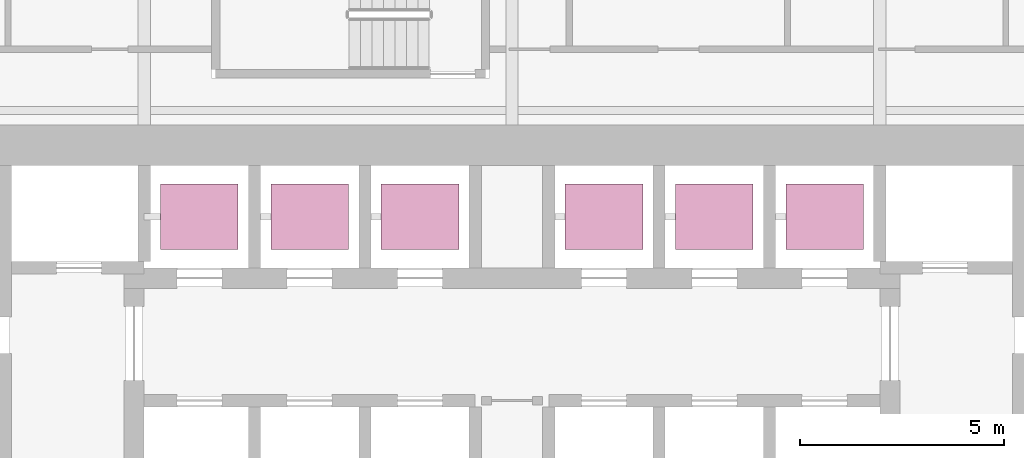
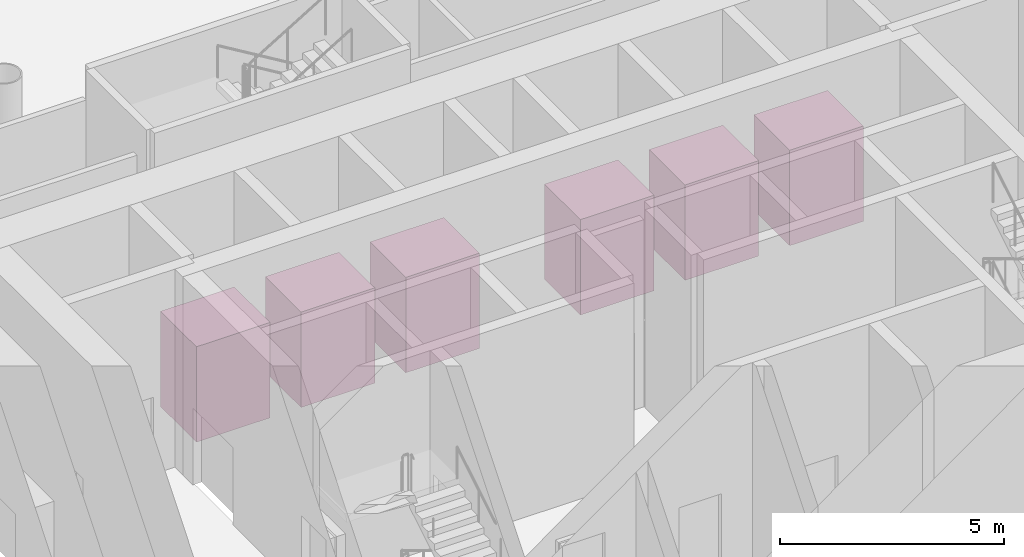
# One storey, part 13 of 13: 6 transport elements.
"""IFC4 building model written with IfcOpenShell, lengths in metres."""

from ifc_helpers import new_model, si_unit, direction, frame, origin, origin_2d, place, context, subcontext, project, spatial, rectangle, extrude, material, type_object, element, save


model = new_model("IFC4")

# Units and contexts
model_context = context("Model", 3, precision=1e-05, world=origin(), true_north=direction((0.0, 1.0)))
body_context = subcontext(model_context, "Body", "Model", "MODEL_VIEW")
ifc_project = project(units=[si_unit("LENGTHUNIT", "METRE"), si_unit("AREAUNIT", "SQUARE_METRE"), si_unit("VOLUMEUNIT", "CUBIC_METRE"), si_unit("PLANEANGLEUNIT", "RADIAN"), si_unit("MASSUNIT", "GRAM", prefix="KILO")], contexts=[model_context])

# Site, building, storey
site_placement = place(None, origin())
site = spatial("IfcSite", under=ifc_project, at=site_placement, CompositionType="ELEMENT")
building_placement = place(site_placement, origin())
building = spatial("IfcBuilding", under=site, at=building_placement, Name="Tskaro Facet Tower", CompositionType="ELEMENT")
storey_placement = place(building_placement, frame((0.0, 0.0, 108.89990234375)))
storey = spatial("IfcBuildingStorey", under=building, at=storey_placement, Name="L26", CompositionType="ELEMENT", Elevation=108.89990234375)

# Transport elements
ifc_material = material(Name="LIFT-MB")
transport_element_type = type_object("IfcTransportElementType", Name="LIFT-MB", PredefinedType="ELEVATOR", material=ifc_material)
for number, where, z_axis, x_axis, name in (
    (1, (-7.64990234375, 1.89990234375, 0.0), (0.0, 0.0, 1.0), (1.0, 0.0, 0.0), "Lift MB1"),
    (2, (-4.949951171875, 1.89990234375, 0.0), (0.0, 0.0, 1.0), (1.0, 0.0, 0.0), "Lift MB2"),
    (3, (-2.25, 1.89990234375, 0.0), (0.0, 0.0, 1.0), (1.0, 0.0, 0.0), "Lift MB3"),
    (4, (2.25, 1.89990234375, 0.0), (0.0, 0.0, 1.0), (1.0, 0.0, 0.0), "Lift MB4"),
    (5, (4.949951171875, 1.89990234375, 0.0), (0.0, 0.0, 1.0), (1.0, 0.0, 0.0), "Lift MB5"),
    (6, (7.64990234375, 1.89990234375, 0.0), (0.0, 0.0, 1.0), (1.0, 0.0, 0.0), "Lift MB6"),
):
    element("IfcTransportElement", number, at=place(storey_placement, frame(where, z_axis=z_axis, x_axis=x_axis)), inside=storey, type_object=transport_element_type, Name=name, PredefinedType="ELEVATOR", context=body_context, shape_type="SweptSolid", body=[
        extrude(rectangle(XDim=1.89990234375, YDim=1.60009765625, at=origin_2d()), origin(), (0.0, 0.0, 1.0), 2.60009765625),
    ])

save(model, "model.ifc")
